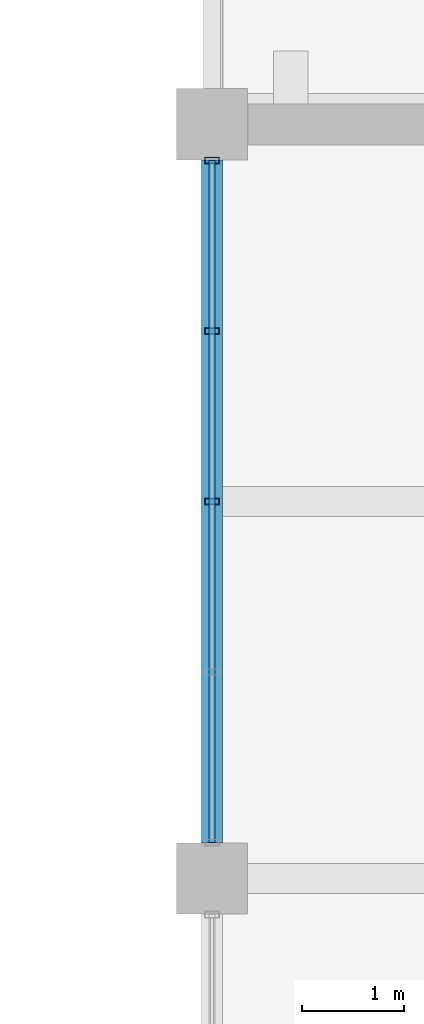
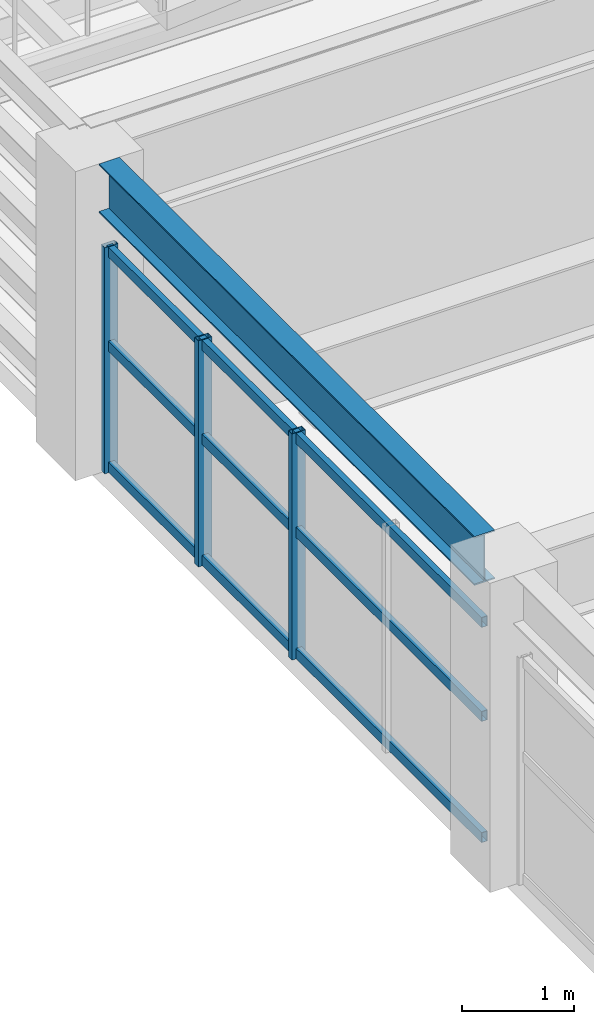
# One storey, part 62 of 121: 6 members, 1 beam, 1 element without a shape of its own.
"""IFC4 building model written with IfcOpenShell, lengths in metres."""

from ifc_helpers import new_model, si_unit, direction, frame, origin, origin_2d, place, context, subcontext, project, spatial, hollow_rectangle, i_section, extrude, material, material_profile, profile_set, type_object, element, aggregate, save


model = new_model("IFC4")

# Units and contexts
model_context = context("Model", 3, precision=1e-05, world=origin(), true_north=direction((0.0, 1.0)))
body_context = subcontext(model_context, "Body", "Model", "MODEL_VIEW")
ifc_project = project(units=[si_unit("LENGTHUNIT", "METRE"), si_unit("AREAUNIT", "SQUARE_METRE"), si_unit("VOLUMEUNIT", "CUBIC_METRE"), si_unit("PLANEANGLEUNIT", "RADIAN"), si_unit("MASSUNIT", "GRAM", prefix="KILO")], contexts=[model_context])

# Site, building, storey
site_placement = place(None, origin())
site = spatial("IfcSite", under=ifc_project, at=site_placement, CompositionType="ELEMENT")
building_placement = place(site_placement, origin())
building = spatial("IfcBuilding", under=site, at=building_placement, Name="Cimatlan Art Gallery", CompositionType="ELEMENT")
storey_placement = place(building_placement, frame((0.0, 0.0, 10.199951171875)))
storey = spatial("IfcBuildingStorey", under=building, at=storey_placement, Name="L02", CompositionType="ELEMENT", Elevation=10.199951171875)

# Beam
ifc_material_1 = material(Name="Steel ASTM A992 Grade 50", Category="steel")
ifc_material_profile_1 = material_profile(ifc_material_1, i_section(OverallWidth=0.2099609375, OverallDepth=0.532958984375, WebThickness=0.01025390625, FlangeThickness=0.015625, at=origin_2d()), Name="W21X62")
ifc_profile_set_1 = profile_set([ifc_material_profile_1], Name="Steel ASTM A992 Grade 50")
beam_type = type_object("IfcBeamType", Name="BM-STL-W21X62", PredefinedType="BEAM", material=ifc_profile_set_1)
beam_placement = place(storey_placement, frame((74.89990234375, 90.85009765625, 3.103515625), z_axis=(0.0, 1.0, 0.0), x_axis=(-1.0, 0.0, 0.0)))
element("IfcBeam", 1, at=beam_placement, inside=storey, type_object=beam_type, Name="BM-Y-L02-09-12", PredefinedType="BEAM", context=body_context, shape_type="SweptSolid", body=[
    extrude(i_section(OverallWidth=0.2099609375, OverallDepth=0.532958984375, WebThickness=0.01025390625, FlangeThickness=0.015625, at=origin_2d()), origin(), (0.0, 0.0, 1.0), 6.699951171875),
])

# Curtain wall, members
ifc_material_2 = material(Name="Anodised bronze unitised curtain wall")
curtain_wall_type = type_object("IfcCurtainWallType", Name="CW-V-06692X02464-B4", PredefinedType="NOTDEFINED", material=ifc_material_2)
curtain_wall_placement = place(storey_placement, origin())
curtain_wall = element("IfcCurtainWall", 2, at=curtain_wall_placement, inside=storey, type_object=curtain_wall_type, Name="CW-L02-09-12-W", PredefinedType="NOTDEFINED")
ifc_material_3 = material(Name="Anodised bronze aluminium 6063-T6", Category="aluminium")
ifc_material_profile_2 = material_profile(ifc_material_3, hollow_rectangle(XDim=0.06494140625, YDim=0.139892578125, WallThickness=0.00390625, at=origin_2d()), Name="ALU65X140X4")
ifc_profile_set_2 = profile_set([ifc_material_profile_2], Name="Anodised bronze aluminium 6063-T6")
member_type_1 = type_object("IfcMemberType", Name="CW-MUL-140", PredefinedType="MULLION", material=ifc_profile_set_2)
member_1_placement = place(storey_placement, frame((74.89990234375, 94.199951171875, 0.0), z_axis=(0.0, 0.0, 1.0), x_axis=(0.0, 1.0, 0.0)))
member_1 = element("IfcMember", 3, at=member_1_placement, type_object=member_type_1, Name="CW-L02-09-12-W-M3", PredefinedType="MULLION", context=body_context, shape_type="SweptSolid", body=[
    extrude(hollow_rectangle(XDim=0.06494140625, YDim=0.139892578125, WallThickness=0.00390625, at=origin_2d()), origin(), (0.0, 0.0, 1.0), 2.464111328125),
])
member_2_placement = place(storey_placement, frame((74.89990234375, 95.873046875, 0.0), z_axis=(0.0, 0.0, 1.0), x_axis=(0.0, 1.0, 0.0)))
member_2 = element("IfcMember", 4, at=member_2_placement, type_object=member_type_1, Name="CW-L02-09-12-W-M4", PredefinedType="MULLION", context=body_context, shape_type="SweptSolid", body=[
    extrude(hollow_rectangle(XDim=0.06494140625, YDim=0.139892578125, WallThickness=0.00390625, at=origin_2d()), origin(), (0.0, 0.0, 1.0), 2.464111328125),
])
member_3_placement = place(storey_placement, frame((74.89990234375, 97.5458984375, 0.0), z_axis=(0.0, 0.0, 1.0), x_axis=(0.0, 1.0, 0.0)))
member_3 = element("IfcMember", 5, at=member_3_placement, type_object=member_type_1, Name="CW-L02-09-12-W-M5", PredefinedType="MULLION", context=body_context, shape_type="SweptSolid", body=[
    extrude(hollow_rectangle(XDim=0.06494140625, YDim=0.139892578125, WallThickness=0.00390625, at=origin_2d()), origin(), (0.0, 0.0, 1.0), 2.464111328125),
])
ifc_material_profile_3 = material_profile(ifc_material_3, hollow_rectangle(XDim=0.06005859375, YDim=0.110107421875, WallThickness=0.00341796875, at=origin_2d()), Name="ALU60X110X3")
ifc_profile_set_3 = profile_set([ifc_material_profile_3], Name="Anodised bronze aluminium 6063-T6")
member_type_2 = type_object("IfcMemberType", Name="CW-TRN-110", PredefinedType="USERDEFINED", material=ifc_profile_set_3)
member_4_placement = place(storey_placement, frame((74.89990234375, 90.85400390625, 0.06005859375), z_axis=(0.0, 1.0, 0.0), x_axis=(-1.0, 0.0, 0.0)))
member_4 = element("IfcMember", 6, at=member_4_placement, type_object=member_type_2, Name="CW-L02-09-12-W-T1", ObjectType="TRANSOM", PredefinedType="USERDEFINED", context=body_context, shape_type="SweptSolid", body=[
    extrude(hollow_rectangle(XDim=0.06005859375, YDim=0.110107421875, WallThickness=0.00341796875, at=origin_2d()), origin(), (0.0, 0.0, 1.0), 6.69189453125),
])
member_5_placement = place(storey_placement, frame((74.89990234375, 90.85400390625, 1.3798828125), z_axis=(0.0, 1.0, 0.0), x_axis=(-1.0, 0.0, 0.0)))
member_5 = element("IfcMember", 7, at=member_5_placement, type_object=member_type_2, Name="CW-L02-09-12-W-T2", ObjectType="TRANSOM", PredefinedType="USERDEFINED", context=body_context, shape_type="SweptSolid", body=[
    extrude(hollow_rectangle(XDim=0.06005859375, YDim=0.110107421875, WallThickness=0.00341796875, at=origin_2d()), origin(), (0.0, 0.0, 1.0), 6.69189453125),
])
member_6_placement = place(storey_placement, frame((74.89990234375, 90.85400390625, 2.404052734375), z_axis=(0.0, 1.0, 0.0), x_axis=(-1.0, 0.0, 0.0)))
member_6 = element("IfcMember", 8, at=member_6_placement, type_object=member_type_2, Name="CW-L02-09-12-W-T3", ObjectType="TRANSOM", PredefinedType="USERDEFINED", context=body_context, shape_type="SweptSolid", body=[
    extrude(hollow_rectangle(XDim=0.06005859375, YDim=0.110107421875, WallThickness=0.00341796875, at=origin_2d()), origin(), (0.0, 0.0, 1.0), 6.69189453125),
])
aggregate(curtain_wall, [member_1, member_2, member_3, member_4, member_5, member_6])

save(model, "model.ifc")
